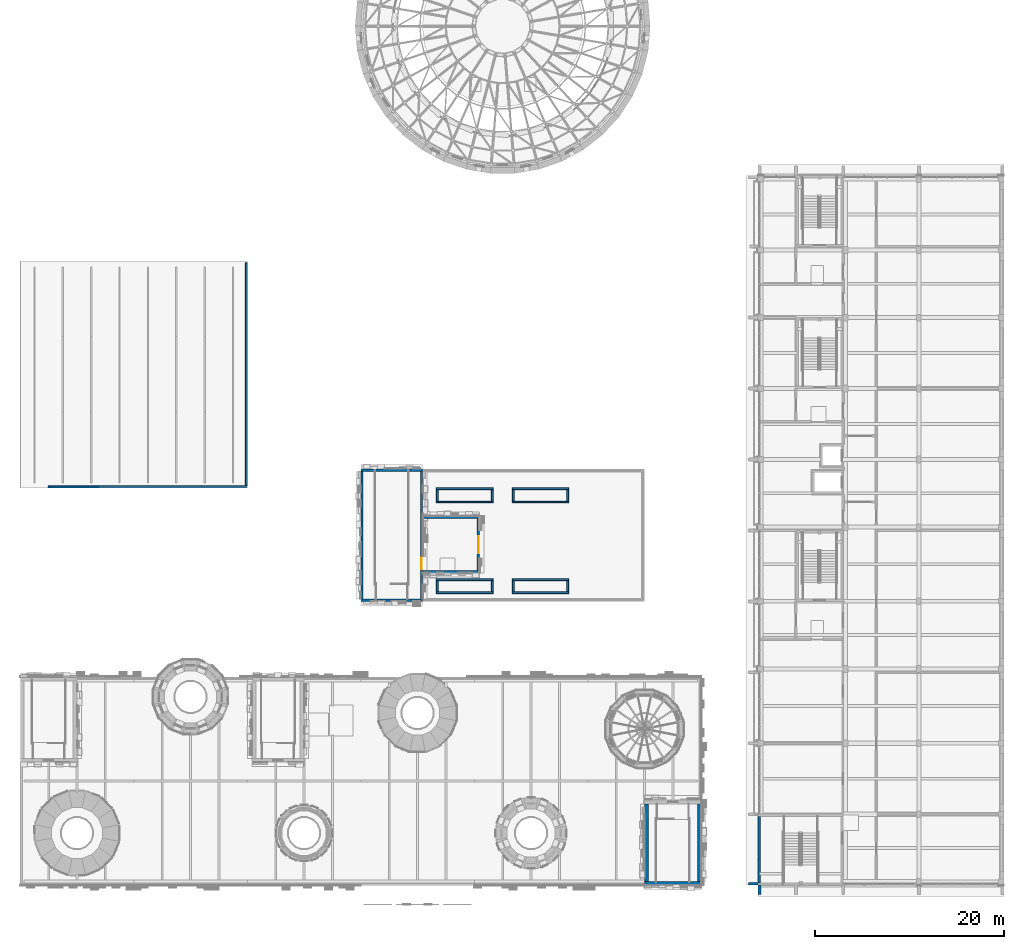
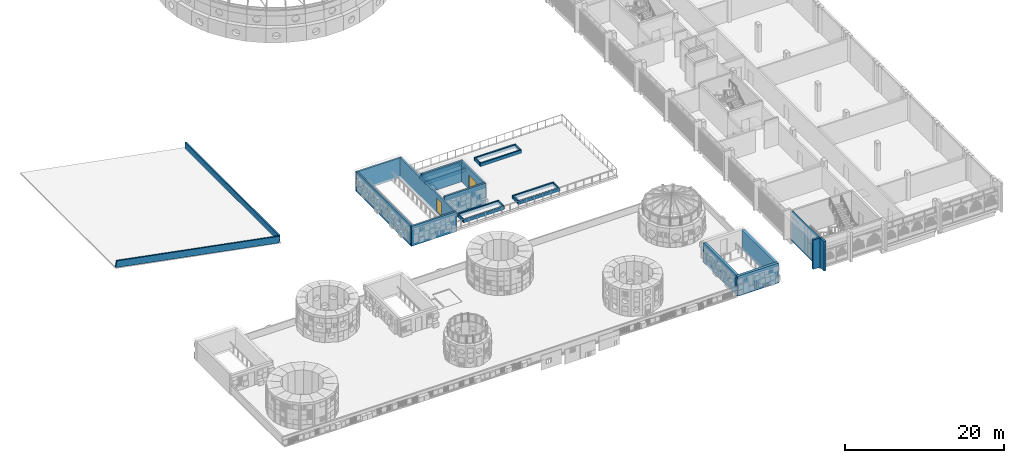
# One storey, part 53 of 98: 31 walls, 2 doors, 2 openings.
"""IFC4 building model written with IfcOpenShell, lengths in metres."""

from ifc_helpers import new_model, si_unit, direction, frame, frame_2d, origin, origin_2d, place, context, subcontext, project, spatial, rectangle, extrude, material, layer, layer_set, type_object, element, fill, save


model = new_model("IFC4")

# Units and contexts
model_context = context("Model", 3, precision=1e-05, world=origin(), true_north=direction((0.0, 1.0)))
body_context = subcontext(model_context, "Body", "Model", "MODEL_VIEW")
ifc_project = project(units=[si_unit("LENGTHUNIT", "METRE"), si_unit("AREAUNIT", "SQUARE_METRE"), si_unit("VOLUMEUNIT", "CUBIC_METRE"), si_unit("PLANEANGLEUNIT", "RADIAN"), si_unit("MASSUNIT", "GRAM", prefix="KILO")], contexts=[model_context])

# Site, building, storey
site_placement = place(None, origin())
site = spatial("IfcSite", under=ifc_project, at=site_placement, CompositionType="ELEMENT")
building_placement = place(site_placement, origin())
building = spatial("IfcBuilding", under=site, at=building_placement, Name="Sun Court Science Centre", CompositionType="ELEMENT")
storey_placement = place(building_placement, frame((0.0, 0.0, 15.75)))
storey = spatial("IfcBuildingStorey", under=building, at=storey_placement, Name="L03", CompositionType="ELEMENT", Elevation=15.75)

# Walls
ifc_material_1 = material(Name="Concrete C30/37", Category="concrete")
ifc_layer_1 = layer(ifc_material_1, 0.300048828125)
ifc_layer_set_1 = layer_set([ifc_layer_1], Name="Concrete C30/37")
wall_type_1 = type_object("IfcWallType", Name="Facade fin RC 300", PredefinedType="SOLIDWALL", material=ifc_layer_set_1)
for number, where, z_axis, x_axis, name in (
    (1, (77.0, 6.14990234375, 0.0), (0.0, 0.0, 1.0), (1.0, 0.0, 0.0), "Facade fin 01 L03"),
    (2, (78.14990234375, 6.0, 0.0), (0.0, 0.0, 1.0), (0.0, -1.0, 0.0), "Facade fin south 01 L03"),
):
    element("IfcWall", number, at=place(storey_placement, frame(where, z_axis=z_axis, x_axis=x_axis)), inside=storey, type_object=wall_type_1, Name=name, PredefinedType="SOLIDWALL", context=body_context, shape_type="SweptSolid", body=[
        extrude(rectangle(XDim=1.0, YDim=0.300048828125, at=frame_2d((0.5, 0.0))), origin(), (0.0, 0.0, 1.0), 4.5),
    ])
ifc_material_2 = material(Name="Concrete C30/37", Category="concrete")
ifc_layer_2 = layer(ifc_material_2, 0.25)
ifc_layer_set_2 = layer_set([ifc_layer_2], Name="Concrete C30/37")
wall_type_2 = type_object("IfcWallType", Name="RC head-house wall 250", PredefinedType="SHEAR", material=ifc_layer_set_2)
wall_1_placement = place(storey_placement, frame((42.550048828125, 39.125, 0.0), z_axis=(0.0, 0.0, 1.0), x_axis=(1.0, 0.0, 0.0)))
element("IfcWall", 3, at=wall_1_placement, inside=storey, type_object=wall_type_2, Name="Roof garden lobby wall S", PredefinedType="SHEAR", context=body_context, shape_type="SweptSolid", body=[
    extrude(rectangle(XDim=6.0, YDim=0.25, at=frame_2d((3.0, 0.0))), origin(), (0.0, 0.0, 1.0), 3.199951171875),
])

# Wall, opening, door
wall_2_placement = place(storey_placement, frame((48.425048828125, 39.0, 0.0), z_axis=(0.0, 0.0, 1.0), x_axis=(0.0, 1.0, 0.0)))
wall_2 = element("IfcWall", 4, at=wall_2_placement, inside=storey, type_object=wall_type_2, Name="Roof garden lobby wall E", PredefinedType="SHEAR", context=body_context, shape_type="SweptSolid", body=[
    extrude(rectangle(XDim=6.0, YDim=0.25, at=frame_2d((3.0, 0.0))), origin(), (0.0, 0.0, 1.0), 3.199951171875),
])
opening_1_placement = place(wall_2_placement, frame((2.10009765625, 0.0, 0.0)))
opening_1 = element("IfcOpeningElement", 5, at=opening_1_placement, cuts=wall_2, Name="Opening D-L03-029", PredefinedType="OPENING", context=body_context, shape_type="SweptSolid", body=[
    extrude(rectangle(XDim=1.800048828125, YDim=2.199951171875, at=frame_2d((0.89990234375, 1.10009765625))), frame((0.0, 0.135009765625, 0.0), z_axis=(0.0, -1.0, 0.0), x_axis=(1.0, 0.0, 0.0)), (0.0, 0.0, 1.0), 0.27001953125),
])
ifc_material_3 = material(Name="Steel and glass", Category="steel")
door_type_1 = type_object("IfcDoorType", Name="Exterior door 1800 x 2200 double", OperationType="DOUBLE_DOOR_SINGLE_SWING", PredefinedType="DOOR", material=ifc_material_3)
door_1_placement = place(opening_1_placement, origin())
door_1 = element("IfcDoor", 6, at=door_1_placement, inside=storey, type_object=door_type_1, Name="Exterior door D-L03-029 to the roof garden", OperationType="SINGLE_SWING_LEFT", OverallHeight=2.199951171875, OverallWidth=1.800048828125, PredefinedType="DOOR", context=body_context, shape_type="SweptSolid", body=[
    extrude(rectangle(XDim=1.800048828125, YDim=2.199951171875, at=frame_2d((0.89990234375, 1.10009765625))), frame((0.0, 0.02490234375, 0.0), z_axis=(0.0, -1.0, 0.0), x_axis=(1.0, 0.0, 0.0)), (0.0, 0.0, 1.0), 0.050048828125),
])
fill(opening_1, door_1)

# Walls
wall_3_placement = place(storey_placement, frame((48.550048828125, 44.875, 0.0), z_axis=(0.0, 0.0, 1.0), x_axis=(-1.0, 0.0, 0.0)))
element("IfcWall", 7, at=wall_3_placement, inside=storey, type_object=wall_type_2, Name="Roof garden lobby wall N", PredefinedType="SHEAR", context=body_context, shape_type="SweptSolid", body=[
    extrude(rectangle(XDim=6.0, YDim=0.25, at=frame_2d((3.0, 0.0))), origin(), (0.0, 0.0, 1.0), 3.199951171875),
])
ifc_material_4 = material(Name="Concrete C30/37", Category="concrete")
ifc_layer_3 = layer(ifc_material_4, 0.199951171875)
ifc_layer_set_3 = layer_set([ifc_layer_3], Name="Concrete C30/37")
wall_type_3 = type_object("IfcWallType", Name="RC parapet 200", PredefinedType="PARAPET", material=ifc_layer_set_3)
wall_4_placement = place(storey_placement, frame((23.89990234375, 48.199951171875, -2.75), z_axis=(0.0, 0.0, 1.0), x_axis=(0.0, 1.0, 0.0)))
element("IfcWall", 8, at=wall_4_placement, inside=storey, type_object=wall_type_3, Name="Theatre roof parapet east", PredefinedType="PARAPET", context=body_context, shape_type="SweptSolid", body=[
    extrude(rectangle(XDim=23.60009765625, YDim=0.199951171875, at=frame_2d((11.800048828125, 0.0))), origin(), (0.0, 0.0, 1.0), 1.0),
])
wall_5_placement = place(storey_placement, frame((0.10009765625, 48.10009765625, 2.25), z_axis=(0.982447179146, 0.0, -0.186540987958), x_axis=(0.0, 1.0, 0.0)))
element("IfcWall", 9, at=wall_5_placement, inside=storey, type_object=wall_type_3, Name="Theatre roof parapet south", PredefinedType="PARAPET", context=body_context, shape_type="SweptSolid", body=[
    extrude(rectangle(XDim=0.199951171875, YDim=1.0, at=origin_2d()), origin(), (0.0, 0.0, 1.0), 24.123291015625),
])
ifc_material_5 = material(Name="Concrete C30/37", Category="concrete")
ifc_layer_4 = layer(ifc_material_5, 0.199951171875)
ifc_layer_set_4 = layer_set([ifc_layer_4], Name="Concrete C30/37")
wall_type_4 = type_object("IfcWallType", Name="RC planter wall 200", PredefinedType="SOLIDWALL", material=ifc_layer_set_4)
for number, where, z_axis, x_axis, name in (
    (10, (44.0, 36.89990234375, 0.0), (0.0, 0.0, 1.0), (1.0, 0.0, 0.0), "Roof garden planter 1"),
    (11, (44.0, 38.300048828125, 0.0), (0.0, 0.0, 1.0), (1.0, 0.0, 0.0), "Roof garden planter 1"),
):
    element("IfcWall", number, at=place(storey_placement, frame(where, z_axis=z_axis, x_axis=x_axis)), inside=storey, type_object=wall_type_4, Name=name, PredefinedType="SOLIDWALL", context=body_context, shape_type="SweptSolid", body=[
        extrude(rectangle(XDim=6.0, YDim=0.199951171875, at=frame_2d((3.0, 0.0))), origin(), (0.0, 0.0, 1.0), 0.5),
    ])
for number, where, z_axis, x_axis, name in (
    (12, (44.10009765625, 37.0, 0.0), (0.0, 0.0, 1.0), (0.0, 1.0, 0.0), "Roof garden planter 1"),
    (13, (49.89990234375, 37.0, 0.0), (0.0, 0.0, 1.0), (0.0, 1.0, 0.0), "Roof garden planter 1"),
):
    element("IfcWall", number, at=place(storey_placement, frame(where, z_axis=z_axis, x_axis=x_axis)), inside=storey, type_object=wall_type_4, Name=name, PredefinedType="SOLIDWALL", context=body_context, shape_type="SweptSolid", body=[
        extrude(rectangle(XDim=1.199951171875, YDim=0.199951171875, at=frame_2d((0.60009765625, 0.0))), origin(), (0.0, 0.0, 1.0), 0.5),
    ])
for number, where, z_axis, x_axis, name in (
    (14, (44.0, 46.5, 0.0), (0.0, 0.0, 1.0), (1.0, 0.0, 0.0), "Roof garden planter 2"),
    (15, (44.0, 47.89990234375, 0.0), (0.0, 0.0, 1.0), (1.0, 0.0, 0.0), "Roof garden planter 2"),
):
    element("IfcWall", number, at=place(storey_placement, frame(where, z_axis=z_axis, x_axis=x_axis)), inside=storey, type_object=wall_type_4, Name=name, PredefinedType="SOLIDWALL", context=body_context, shape_type="SweptSolid", body=[
        extrude(rectangle(XDim=6.0, YDim=0.199951171875, at=frame_2d((3.0, 0.0))), origin(), (0.0, 0.0, 1.0), 0.5),
    ])
for number, where, z_axis, x_axis, name in (
    (16, (44.10009765625, 46.60009765625, 0.0), (0.0, 0.0, 1.0), (0.0, 1.0, 0.0), "Roof garden planter 2"),
    (17, (49.89990234375, 46.60009765625, 0.0), (0.0, 0.0, 1.0), (0.0, 1.0, 0.0), "Roof garden planter 2"),
):
    element("IfcWall", number, at=place(storey_placement, frame(where, z_axis=z_axis, x_axis=x_axis)), inside=storey, type_object=wall_type_4, Name=name, PredefinedType="SOLIDWALL", context=body_context, shape_type="SweptSolid", body=[
        extrude(rectangle(XDim=1.199951171875, YDim=0.199951171875, at=frame_2d((0.60009765625, 0.0))), origin(), (0.0, 0.0, 1.0), 0.5),
    ])
for number, where, z_axis, x_axis, name in (
    (18, (52.0, 36.89990234375, 0.0), (0.0, 0.0, 1.0), (1.0, 0.0, 0.0), "Roof garden planter 3"),
    (19, (52.0, 38.300048828125, 0.0), (0.0, 0.0, 1.0), (1.0, 0.0, 0.0), "Roof garden planter 3"),
):
    element("IfcWall", number, at=place(storey_placement, frame(where, z_axis=z_axis, x_axis=x_axis)), inside=storey, type_object=wall_type_4, Name=name, PredefinedType="SOLIDWALL", context=body_context, shape_type="SweptSolid", body=[
        extrude(rectangle(XDim=6.0, YDim=0.199951171875, at=frame_2d((3.0, 0.0))), origin(), (0.0, 0.0, 1.0), 0.5),
    ])
for number, where, z_axis, x_axis, name in (
    (20, (52.10009765625, 37.0, 0.0), (0.0, 0.0, 1.0), (0.0, 1.0, 0.0), "Roof garden planter 3"),
    (21, (57.89990234375, 37.0, 0.0), (0.0, 0.0, 1.0), (0.0, 1.0, 0.0), "Roof garden planter 3"),
):
    element("IfcWall", number, at=place(storey_placement, frame(where, z_axis=z_axis, x_axis=x_axis)), inside=storey, type_object=wall_type_4, Name=name, PredefinedType="SOLIDWALL", context=body_context, shape_type="SweptSolid", body=[
        extrude(rectangle(XDim=1.199951171875, YDim=0.199951171875, at=frame_2d((0.60009765625, 0.0))), origin(), (0.0, 0.0, 1.0), 0.5),
    ])
for number, where, z_axis, x_axis, name in (
    (22, (52.0, 46.5, 0.0), (0.0, 0.0, 1.0), (1.0, 0.0, 0.0), "Roof garden planter 4"),
    (23, (52.0, 47.89990234375, 0.0), (0.0, 0.0, 1.0), (1.0, 0.0, 0.0), "Roof garden planter 4"),
):
    element("IfcWall", number, at=place(storey_placement, frame(where, z_axis=z_axis, x_axis=x_axis)), inside=storey, type_object=wall_type_4, Name=name, PredefinedType="SOLIDWALL", context=body_context, shape_type="SweptSolid", body=[
        extrude(rectangle(XDim=6.0, YDim=0.199951171875, at=frame_2d((3.0, 0.0))), origin(), (0.0, 0.0, 1.0), 0.5),
    ])
for number, where, z_axis, x_axis, name in (
    (24, (52.10009765625, 46.60009765625, 0.0), (0.0, 0.0, 1.0), (0.0, 1.0, 0.0), "Roof garden planter 4"),
    (25, (57.89990234375, 46.60009765625, 0.0), (0.0, 0.0, 1.0), (0.0, 1.0, 0.0), "Roof garden planter 4"),
):
    element("IfcWall", number, at=place(storey_placement, frame(where, z_axis=z_axis, x_axis=x_axis)), inside=storey, type_object=wall_type_4, Name=name, PredefinedType="SOLIDWALL", context=body_context, shape_type="SweptSolid", body=[
        extrude(rectangle(XDim=1.199951171875, YDim=0.199951171875, at=frame_2d((0.60009765625, 0.0))), origin(), (0.0, 0.0, 1.0), 0.5),
    ])
ifc_material_6 = material(Name="Concrete C30/37", Category="concrete")
ifc_layer_5 = layer(ifc_material_6, 0.25)
ifc_layer_set_5 = layer_set([ifc_layer_5], Name="Concrete C30/37")
wall_type_5 = type_object("IfcWallType", Name="RC stair core wall 250", PredefinedType="SHEAR", material=ifc_layer_set_5)
wall_6_placement = place(storey_placement, frame((78.125, 6.25, -0.300048828125), z_axis=(0.0, 0.0, 1.0), x_axis=(0.0, 1.0, 0.0)))
element("IfcWall", 26, at=wall_6_placement, inside=storey, type_object=wall_type_5, Name="Stair core SL1 wall W, L03", PredefinedType="SHEAR", context=body_context, shape_type="SweptSolid", body=[
    extrude(rectangle(XDim=7.0, YDim=0.25, at=frame_2d((3.5, 0.0))), origin(), (0.0, 0.0, 1.0), 4.5),
])
wall_7_placement = place(storey_placement, frame((36.0, 36.125, -0.300048828125), z_axis=(0.0, 0.0, 1.0), x_axis=(1.0, 0.0, 0.0)))
element("IfcWall", 27, at=wall_7_placement, inside=storey, type_object=wall_type_5, Name="Stair core SP1 wall S, L03", PredefinedType="SHEAR", context=body_context, shape_type="SweptSolid", body=[
    extrude(rectangle(XDim=6.550048828125, YDim=0.25, at=frame_2d((3.27490234375, 0.0))), origin(), (0.0, 0.0, 1.0), 3.050048828125),
])

# Wall, opening, door
wall_8_placement = place(storey_placement, frame((42.425048828125, 36.25, -0.300048828125), z_axis=(0.0, 0.0, 1.0), x_axis=(0.0, 1.0, 0.0)))
wall_8 = element("IfcWall", 28, at=wall_8_placement, inside=storey, type_object=wall_type_5, Name="Stair core SP1 wall E, L03", PredefinedType="SHEAR", context=body_context, shape_type="SweptSolid", body=[
    extrude(rectangle(XDim=13.5, YDim=0.25, at=frame_2d((6.75, 0.0))), origin(), (0.0, 0.0, 1.0), 3.050048828125),
])
opening_2_placement = place(wall_8_placement, frame((3.14892578125, 0.0, 0.300048828125)))
opening_2 = element("IfcOpeningElement", 29, at=opening_2_placement, cuts=wall_8, Name="Opening D-L03-028", PredefinedType="OPENING", context=body_context, shape_type="SweptSolid", body=[
    extrude(rectangle(XDim=1.199951171875, YDim=2.199951171875, at=frame_2d((0.60009765625, 1.10009765625))), frame((0.0, 0.135009765625, 0.0), z_axis=(0.0, -1.0, 0.0), x_axis=(1.0, 0.0, 0.0)), (0.0, 0.0, 1.0), 0.27001953125),
])
ifc_material_7 = material(Name="Steel", Category="steel")
door_type_2 = type_object("IfcDoorType", Name="Door 1200x2200 single leaf FD60", OperationType="NOTDEFINED", PredefinedType="DOOR", material=ifc_material_7)
door_2_placement = place(opening_2_placement, origin())
door_2 = element("IfcDoor", 30, at=door_2_placement, inside=storey, type_object=door_type_2, Name="Door D-L03-028", OperationType="SINGLE_SWING_RIGHT", OverallHeight=2.199951171875, OverallWidth=1.199951171875, PredefinedType="DOOR", context=body_context, shape_type="SweptSolid", body=[
    extrude(rectangle(XDim=1.199951171875, YDim=2.199951171875, at=frame_2d((0.60009765625, 1.10009765625))), frame((0.0, 0.02490234375, 0.0), z_axis=(0.0, -1.0, 0.0), x_axis=(1.0, 0.0, 0.0)), (0.0, 0.0, 1.0), 0.050048828125),
])
fill(opening_2, door_2)

# Walls
wall_9_placement = place(storey_placement, frame((36.0, 49.875, -0.300048828125), z_axis=(0.0, 0.0, 1.0), x_axis=(1.0, 0.0, 0.0)))
element("IfcWall", 31, at=wall_9_placement, inside=storey, type_object=wall_type_5, Name="Stair core SP1 wall N, L03", PredefinedType="SHEAR", context=body_context, shape_type="SweptSolid", body=[
    extrude(rectangle(XDim=6.550048828125, YDim=0.25, at=frame_2d((3.27490234375, 0.0))), origin(), (0.0, 0.0, 1.0), 3.050048828125),
])
wall_10_placement = place(storey_placement, frame((36.125, 36.25, -0.300048828125), z_axis=(0.0, 0.0, 1.0), x_axis=(0.0, 1.0, 0.0)))
element("IfcWall", 32, at=wall_10_placement, inside=storey, type_object=wall_type_5, Name="Stair core SP1 wall W, L03", PredefinedType="SHEAR", context=body_context, shape_type="SweptSolid", body=[
    extrude(rectangle(XDim=13.5, YDim=0.25, at=frame_2d((6.75, 0.0))), origin(), (0.0, 0.0, 1.0), 3.050048828125),
])
ifc_material_8 = material(Name="Concrete C30/37", Category="concrete")
ifc_layer_6 = layer(ifc_material_8, 0.39990234375)
ifc_layer_set_6 = layer_set([ifc_layer_6], Name="Concrete C30/37")
wall_type_6 = type_object("IfcWallType", Name="RC stair core wall 400", PredefinedType="SHEAR", material=ifc_layer_set_6)
wall_11_placement = place(storey_placement, frame((66.0, 6.199951171875, -0.300048828125), z_axis=(0.0, 0.0, 1.0), x_axis=(1.0, 0.0, 0.0)))
element("IfcWall", 33, at=wall_11_placement, inside=storey, type_object=wall_type_6, Name="Stair core SB3 wall S, L03", PredefinedType="SHEAR", context=body_context, shape_type="SweptSolid", body=[
    extrude(rectangle(XDim=6.0, YDim=0.39990234375, at=frame_2d((3.0, 0.0))), origin(), (0.0, 0.0, 1.0), 3.050048828125),
])
for number, where, z_axis, x_axis, name in (
    (34, (71.800048828125, 6.39990234375, -0.300048828125), (0.0, 0.0, 1.0), (0.0, 1.0, 0.0), "Stair core SB3 wall E, L03"),
    (35, (66.199951171875, 6.39990234375, -0.300048828125), (0.0, 0.0, 1.0), (0.0, 1.0, 0.0), "Stair core SB3 wall W, L03"),
):
    element("IfcWall", number, at=place(storey_placement, frame(where, z_axis=z_axis, x_axis=x_axis)), inside=storey, type_object=wall_type_6, Name=name, PredefinedType="SHEAR", context=body_context, shape_type="SweptSolid", body=[
        extrude(rectangle(XDim=8.2001953125, YDim=0.39990234375, at=frame_2d((4.10009765625, 0.0))), origin(), (0.0, 0.0, 1.0), 3.050048828125),
    ])

save(model, "model.ifc")
